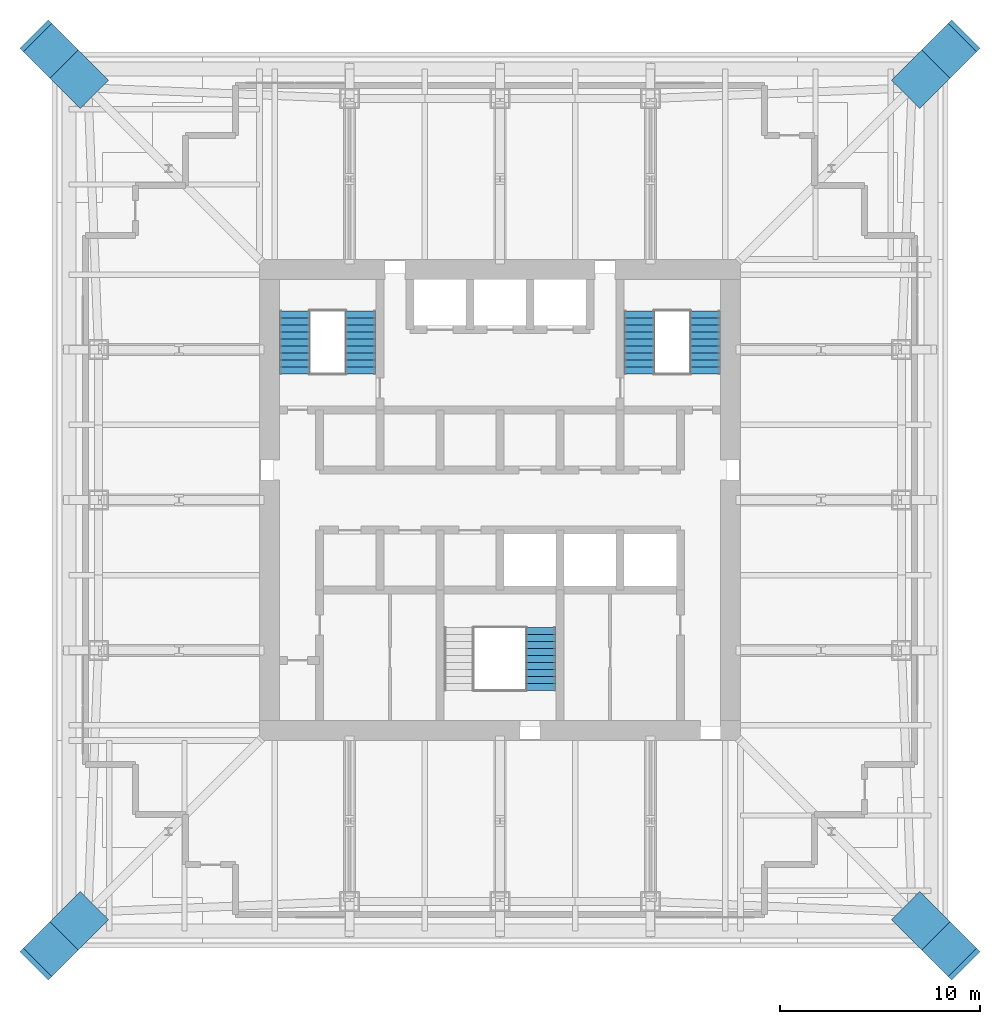
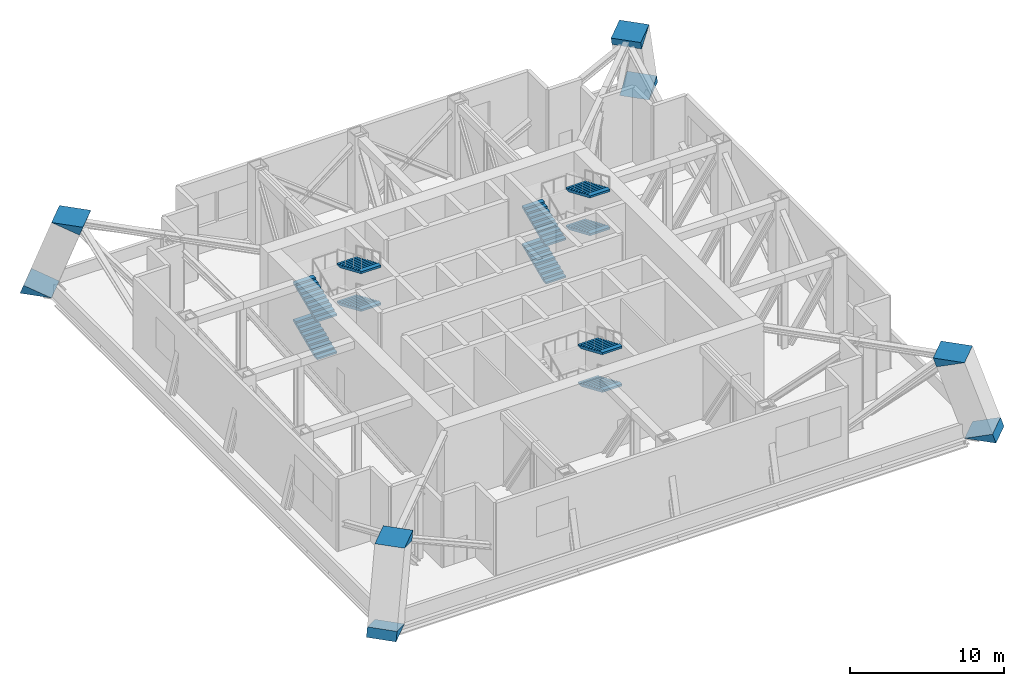
# One storey, part 7 of 9: 10 stair flights, 8 discrete accessories, 3 elements without a shape of their own.
"""IFC4 building model written with IfcOpenShell, lengths in metres."""

from ifc_helpers import new_model, si_unit, direction, frame, origin, place, context, subcontext, project, spatial, polyline, outline, extrude, material, layer, layer_set, type_object, element, aggregate, save


model = new_model("IFC4")

# Units and contexts
model_context = context("Model", 3, precision=1e-05, world=origin(), true_north=direction((0.0, 1.0)))
body_context = subcontext(model_context, "Body", "Model", "MODEL_VIEW")
ifc_project = project(units=[si_unit("LENGTHUNIT", "METRE"), si_unit("AREAUNIT", "SQUARE_METRE"), si_unit("VOLUMEUNIT", "CUBIC_METRE"), si_unit("PLANEANGLEUNIT", "RADIAN"), si_unit("MASSUNIT", "GRAM", prefix="KILO")], contexts=[model_context])

# Site, building, storey
site_placement = place(None, origin())
site = spatial("IfcSite", under=ifc_project, at=site_placement, CompositionType="ELEMENT")
building_placement = place(site_placement, origin())
building = spatial("IfcBuilding", under=site, at=building_placement, Name="Tarangal Relay Tower", CompositionType="ELEMENT")
storey_placement = place(building_placement, frame((0.0, 0.0, 253.89990234375)))
storey = spatial("IfcBuildingStorey", under=building, at=storey_placement, Name="L55", CompositionType="ELEMENT", Elevation=253.89990234375)

# Stair, stair flights
ifc_material_1 = material(Name="Steel ASTM A992 stair flight", Category="steel")
stair_type = type_object("IfcStairType", Name="Core stair 1500", PredefinedType="HALF_TURN_STAIR", material=ifc_material_1)
stair_1_placement = place(storey_placement, origin())
stair_1 = element("IfcStair", 1, at=stair_1_placement, inside=storey, type_object=stair_type, Name="Stair ST-A L55", PredefinedType="HALF_TURN_STAIR")
stair_flight_type = type_object("IfcStairFlightType", Name="Steel stair flight 1500, 10 risers 150 x 348", PredefinedType="STRAIGHT", material=ifc_material_1)
stair_flight_1_placement = place(storey_placement, frame((-10.25, 6.300048828125, 0.0), z_axis=(0.0, 0.0, 1.0), x_axis=(0.0, 1.0, 0.0)))
stair_flight_1 = element("IfcStairFlight", 2, at=stair_flight_1_placement, type_object=stair_flight_type, Name="ST-A flight 1", NumberOfRisers=10, NumberOfTreads=9, PredefinedType="STRAIGHT", RiserHeight=0.15, TreadLength=0.348, context=body_context, shape_type="SweptSolid", body=[
    extrude(outline(polyline([(0.0, 0.0), (0.0, 0.14990234375), (0.347900390625, 0.14990234375), (0.347900390625, 0.300048828125), (0.696044921875, 0.300048828125), (0.696044921875, 0.449951171875), (1.0439453125, 0.449951171875), (1.0439453125, 0.60009765625), (1.39208984375, 0.60009765625), (1.39208984375, 0.75), (1.739990234375, 0.75), (1.739990234375, 0.89990234375), (2.087890625, 0.89990234375), (2.087890625, 1.050048828125), (2.43603515625, 1.050048828125), (2.43603515625, 1.199951171875), (2.783935546875, 1.199951171875), (2.783935546875, 1.35009765625), (3.132080078125, 1.35009765625), (3.132080078125, 1.5), (3.132080078125, 1.186767578125), (0.378662109375, 0.0), (0.0, 0.0)])), frame((0.0, 0.75, 0.0), z_axis=(0.0, -1.0, 0.0), x_axis=(1.0, 0.0, 0.0)), (0.0, 0.0, 1.0), 1.5),
])
stair_flight_2_placement = place(storey_placement, frame((-6.949951171875, 9.431884765625, 1.5), z_axis=(0.0, 0.0, 1.0), x_axis=(0.0, -1.0, 0.0)))
stair_flight_2 = element("IfcStairFlight", 3, at=stair_flight_2_placement, type_object=stair_flight_type, Name="ST-A flight 2", NumberOfRisers=10, NumberOfTreads=9, PredefinedType="STRAIGHT", RiserHeight=0.15, TreadLength=0.348, context=body_context, shape_type="SweptSolid", body=[
    extrude(outline(polyline([(0.0, 0.0), (0.0, 0.14990234375), (0.347900390625, 0.14990234375), (0.347900390625, 0.300048828125), (0.696044921875, 0.300048828125), (0.696044921875, 0.449951171875), (1.0439453125, 0.449951171875), (1.0439453125, 0.60009765625), (1.39208984375, 0.60009765625), (1.39208984375, 0.75), (1.739990234375, 0.75), (1.739990234375, 0.89990234375), (2.087890625, 0.89990234375), (2.087890625, 1.050048828125), (2.43603515625, 1.050048828125), (2.43603515625, 1.199951171875), (2.783935546875, 1.199951171875), (2.783935546875, 1.35009765625), (3.132080078125, 1.35009765625), (3.132080078125, 1.5), (3.132080078125, 1.186767578125), (0.378662109375, 0.0), (0.0, 0.0)])), frame((0.0, 0.75, 0.0), z_axis=(0.0, -1.0, 0.0), x_axis=(1.0, 0.0, 0.0)), (0.0, 0.0, 1.0), 1.5),
])
stair_flight_3_placement = place(storey_placement, frame((-10.25, 6.300048828125, 3.0), z_axis=(0.0, 0.0, 1.0), x_axis=(0.0, 1.0, 0.0)))
stair_flight_3 = element("IfcStairFlight", 4, at=stair_flight_3_placement, type_object=stair_flight_type, Name="ST-A flight 3", NumberOfRisers=10, NumberOfTreads=9, PredefinedType="STRAIGHT", RiserHeight=0.15, TreadLength=0.348, context=body_context, shape_type="SweptSolid", body=[
    extrude(outline(polyline([(0.0, 0.0), (0.0, 0.14990234375), (0.347900390625, 0.14990234375), (0.347900390625, 0.300048828125), (0.696044921875, 0.300048828125), (0.696044921875, 0.449951171875), (1.0439453125, 0.449951171875), (1.0439453125, 0.60009765625), (1.39208984375, 0.60009765625), (1.39208984375, 0.75), (1.739990234375, 0.75), (1.739990234375, 0.89990234375), (2.087890625, 0.89990234375), (2.087890625, 1.050048828125), (2.43603515625, 1.050048828125), (2.43603515625, 1.199951171875), (2.783935546875, 1.199951171875), (2.783935546875, 1.35009765625), (3.132080078125, 1.35009765625), (3.132080078125, 1.5), (3.132080078125, 1.186767578125), (0.378662109375, 0.0), (0.0, 0.0)])), frame((0.0, 0.75, 0.0), z_axis=(0.0, -1.0, 0.0), x_axis=(1.0, 0.0, 0.0)), (0.0, 0.0, 1.0), 1.5),
])
stair_flight_4_placement = place(storey_placement, frame((-6.949951171875, 9.431884765625, 4.5), z_axis=(0.0, 0.0, 1.0), x_axis=(0.0, -1.0, 0.0)))
stair_flight_4 = element("IfcStairFlight", 5, at=stair_flight_4_placement, type_object=stair_flight_type, Name="ST-A flight 4", NumberOfRisers=10, NumberOfTreads=9, PredefinedType="STRAIGHT", RiserHeight=0.15, TreadLength=0.348, context=body_context, shape_type="SweptSolid", body=[
    extrude(outline(polyline([(0.0, 0.0), (0.0, 0.14990234375), (0.347900390625, 0.14990234375), (0.347900390625, 0.300048828125), (0.696044921875, 0.300048828125), (0.696044921875, 0.449951171875), (1.0439453125, 0.449951171875), (1.0439453125, 0.60009765625), (1.39208984375, 0.60009765625), (1.39208984375, 0.75), (1.739990234375, 0.75), (1.739990234375, 0.89990234375), (2.087890625, 0.89990234375), (2.087890625, 1.050048828125), (2.43603515625, 1.050048828125), (2.43603515625, 1.199951171875), (2.783935546875, 1.199951171875), (2.783935546875, 1.35009765625), (3.132080078125, 1.35009765625), (3.132080078125, 1.5), (3.132080078125, 1.186767578125), (0.378662109375, 0.0), (0.0, 0.0)])), frame((0.0, 0.75, 0.0), z_axis=(0.0, -1.0, 0.0), x_axis=(1.0, 0.0, 0.0)), (0.0, 0.0, 1.0), 1.5),
])
aggregate(stair_1, [stair_flight_1, stair_flight_2, stair_flight_3, stair_flight_4])

stair_2_placement = place(storey_placement, origin())
stair_2 = element("IfcStair", 6, at=stair_2_placement, inside=storey, type_object=stair_type, Name="Stair ST-B L55", PredefinedType="HALF_TURN_STAIR")
stair_flight_5_placement = place(storey_placement, frame((6.949951171875, 6.300048828125, 0.0), z_axis=(0.0, 0.0, 1.0), x_axis=(0.0, 1.0, 0.0)))
stair_flight_5 = element("IfcStairFlight", 7, at=stair_flight_5_placement, type_object=stair_flight_type, Name="ST-B flight 1", NumberOfRisers=10, NumberOfTreads=9, PredefinedType="STRAIGHT", RiserHeight=0.15, TreadLength=0.348, context=body_context, shape_type="SweptSolid", body=[
    extrude(outline(polyline([(0.0, 0.0), (0.0, 0.14990234375), (0.347900390625, 0.14990234375), (0.347900390625, 0.300048828125), (0.696044921875, 0.300048828125), (0.696044921875, 0.449951171875), (1.0439453125, 0.449951171875), (1.0439453125, 0.60009765625), (1.39208984375, 0.60009765625), (1.39208984375, 0.75), (1.739990234375, 0.75), (1.739990234375, 0.89990234375), (2.087890625, 0.89990234375), (2.087890625, 1.050048828125), (2.43603515625, 1.050048828125), (2.43603515625, 1.199951171875), (2.783935546875, 1.199951171875), (2.783935546875, 1.35009765625), (3.132080078125, 1.35009765625), (3.132080078125, 1.5), (3.132080078125, 1.186767578125), (0.378662109375, 0.0), (0.0, 0.0)])), frame((0.0, 0.75, 0.0), z_axis=(0.0, -1.0, 0.0), x_axis=(1.0, 0.0, 0.0)), (0.0, 0.0, 1.0), 1.5),
])
stair_flight_6_placement = place(storey_placement, frame((10.25, 9.431884765625, 1.5), z_axis=(0.0, 0.0, 1.0), x_axis=(0.0, -1.0, 0.0)))
stair_flight_6 = element("IfcStairFlight", 8, at=stair_flight_6_placement, type_object=stair_flight_type, Name="ST-B flight 2", NumberOfRisers=10, NumberOfTreads=9, PredefinedType="STRAIGHT", RiserHeight=0.15, TreadLength=0.348, context=body_context, shape_type="SweptSolid", body=[
    extrude(outline(polyline([(0.0, 0.0), (0.0, 0.14990234375), (0.347900390625, 0.14990234375), (0.347900390625, 0.300048828125), (0.696044921875, 0.300048828125), (0.696044921875, 0.449951171875), (1.0439453125, 0.449951171875), (1.0439453125, 0.60009765625), (1.39208984375, 0.60009765625), (1.39208984375, 0.75), (1.739990234375, 0.75), (1.739990234375, 0.89990234375), (2.087890625, 0.89990234375), (2.087890625, 1.050048828125), (2.43603515625, 1.050048828125), (2.43603515625, 1.199951171875), (2.783935546875, 1.199951171875), (2.783935546875, 1.35009765625), (3.132080078125, 1.35009765625), (3.132080078125, 1.5), (3.132080078125, 1.186767578125), (0.378662109375, 0.0), (0.0, 0.0)])), frame((0.0, 0.75, 0.0), z_axis=(0.0, -1.0, 0.0), x_axis=(1.0, 0.0, 0.0)), (0.0, 0.0, 1.0), 1.5),
])
stair_flight_7_placement = place(storey_placement, frame((6.949951171875, 6.300048828125, 3.0), z_axis=(0.0, 0.0, 1.0), x_axis=(0.0, 1.0, 0.0)))
stair_flight_7 = element("IfcStairFlight", 9, at=stair_flight_7_placement, type_object=stair_flight_type, Name="ST-B flight 3", NumberOfRisers=10, NumberOfTreads=9, PredefinedType="STRAIGHT", RiserHeight=0.15, TreadLength=0.348, context=body_context, shape_type="SweptSolid", body=[
    extrude(outline(polyline([(0.0, 0.0), (0.0, 0.14990234375), (0.347900390625, 0.14990234375), (0.347900390625, 0.300048828125), (0.696044921875, 0.300048828125), (0.696044921875, 0.449951171875), (1.0439453125, 0.449951171875), (1.0439453125, 0.60009765625), (1.39208984375, 0.60009765625), (1.39208984375, 0.75), (1.739990234375, 0.75), (1.739990234375, 0.89990234375), (2.087890625, 0.89990234375), (2.087890625, 1.050048828125), (2.43603515625, 1.050048828125), (2.43603515625, 1.199951171875), (2.783935546875, 1.199951171875), (2.783935546875, 1.35009765625), (3.132080078125, 1.35009765625), (3.132080078125, 1.5), (3.132080078125, 1.186767578125), (0.378662109375, 0.0), (0.0, 0.0)])), frame((0.0, 0.75, 0.0), z_axis=(0.0, -1.0, 0.0), x_axis=(1.0, 0.0, 0.0)), (0.0, 0.0, 1.0), 1.5),
])
stair_flight_8_placement = place(storey_placement, frame((10.25, 9.431884765625, 4.5), z_axis=(0.0, 0.0, 1.0), x_axis=(0.0, -1.0, 0.0)))
stair_flight_8 = element("IfcStairFlight", 10, at=stair_flight_8_placement, type_object=stair_flight_type, Name="ST-B flight 4", NumberOfRisers=10, NumberOfTreads=9, PredefinedType="STRAIGHT", RiserHeight=0.15, TreadLength=0.348, context=body_context, shape_type="SweptSolid", body=[
    extrude(outline(polyline([(0.0, 0.0), (0.0, 0.14990234375), (0.347900390625, 0.14990234375), (0.347900390625, 0.300048828125), (0.696044921875, 0.300048828125), (0.696044921875, 0.449951171875), (1.0439453125, 0.449951171875), (1.0439453125, 0.60009765625), (1.39208984375, 0.60009765625), (1.39208984375, 0.75), (1.739990234375, 0.75), (1.739990234375, 0.89990234375), (2.087890625, 0.89990234375), (2.087890625, 1.050048828125), (2.43603515625, 1.050048828125), (2.43603515625, 1.199951171875), (2.783935546875, 1.199951171875), (2.783935546875, 1.35009765625), (3.132080078125, 1.35009765625), (3.132080078125, 1.5), (3.132080078125, 1.186767578125), (0.378662109375, 0.0), (0.0, 0.0)])), frame((0.0, 0.75, 0.0), z_axis=(0.0, -1.0, 0.0), x_axis=(1.0, 0.0, 0.0)), (0.0, 0.0, 1.0), 1.5),
])
aggregate(stair_2, [stair_flight_5, stair_flight_6, stair_flight_7, stair_flight_8])

stair_3_placement = place(storey_placement, origin())
stair_3 = element("IfcStair", 11, at=stair_3_placement, inside=storey, type_object=stair_type, Name="Stair ST-C L55", PredefinedType="HALF_TURN_STAIR")
stair_flight_9_placement = place(storey_placement, frame((2.050048828125, -6.367919921875, 1.5), z_axis=(0.0, 0.0, 1.0), x_axis=(0.0, -1.0, 0.0)))
stair_flight_9 = element("IfcStairFlight", 12, at=stair_flight_9_placement, type_object=stair_flight_type, Name="ST-C flight 2", NumberOfRisers=10, NumberOfTreads=9, PredefinedType="STRAIGHT", RiserHeight=0.15, TreadLength=0.348, context=body_context, shape_type="SweptSolid", body=[
    extrude(outline(polyline([(0.0, 0.0), (0.0, 0.14990234375), (0.347900390625, 0.14990234375), (0.347900390625, 0.300048828125), (0.696044921875, 0.300048828125), (0.696044921875, 0.449951171875), (1.0439453125, 0.449951171875), (1.0439453125, 0.60009765625), (1.39208984375, 0.60009765625), (1.39208984375, 0.75), (1.739990234375, 0.75), (1.739990234375, 0.89990234375), (2.087890625, 0.89990234375), (2.087890625, 1.050048828125), (2.43603515625, 1.050048828125), (2.43603515625, 1.199951171875), (2.783935546875, 1.199951171875), (2.783935546875, 1.35009765625), (3.132080078125, 1.35009765625), (3.132080078125, 1.5), (3.132080078125, 1.186767578125), (0.378662109375, 0.0), (0.0, 0.0)])), frame((0.0, 0.75, 0.0), z_axis=(0.0, -1.0, 0.0), x_axis=(1.0, 0.0, 0.0)), (0.0, 0.0, 1.0), 1.5),
])
stair_flight_10_placement = place(storey_placement, frame((2.050048828125, -6.367919921875, 4.5), z_axis=(0.0, 0.0, 1.0), x_axis=(0.0, -1.0, 0.0)))
stair_flight_10 = element("IfcStairFlight", 13, at=stair_flight_10_placement, type_object=stair_flight_type, Name="ST-C flight 4", NumberOfRisers=10, NumberOfTreads=9, PredefinedType="STRAIGHT", RiserHeight=0.15, TreadLength=0.348, context=body_context, shape_type="SweptSolid", body=[
    extrude(outline(polyline([(0.0, 0.0), (0.0, 0.14990234375), (0.347900390625, 0.14990234375), (0.347900390625, 0.300048828125), (0.696044921875, 0.300048828125), (0.696044921875, 0.449951171875), (1.0439453125, 0.449951171875), (1.0439453125, 0.60009765625), (1.39208984375, 0.60009765625), (1.39208984375, 0.75), (1.739990234375, 0.75), (1.739990234375, 0.89990234375), (2.087890625, 0.89990234375), (2.087890625, 1.050048828125), (2.43603515625, 1.050048828125), (2.43603515625, 1.199951171875), (2.783935546875, 1.199951171875), (2.783935546875, 1.35009765625), (3.132080078125, 1.35009765625), (3.132080078125, 1.5), (3.132080078125, 1.186767578125), (0.378662109375, 0.0), (0.0, 0.0)])), frame((0.0, 0.75, 0.0), z_axis=(0.0, -1.0, 0.0), x_axis=(1.0, 0.0, 0.0)), (0.0, 0.0, 1.0), 1.5),
])
aggregate(stair_3, [stair_flight_9, stair_flight_10])

# Discrete accessories
ifc_material_2 = material(Name="Steel ASTM A572 Grade 50", Category="steel")
ifc_layer = layer(ifc_material_2, 2.0)
ifc_layer_set = layer_set([ifc_layer], Name="Mega column node 2000")
discrete_accessory_type = type_object("IfcDiscreteAccessoryType", Name="Mega column node 2000", PredefinedType="USERDEFINED", material=ifc_layer_set)
discrete_accessory_1_placement = place(storey_placement, frame((22.45703125, 21.042724609375, 0.00048828125), z_axis=(0.70716409166, -0.707048665848, 0.001063761926), x_axis=(0.666354659565, 0.666964986236, 0.333360427784)))
element("IfcDiscreteAccessory", 14, at=discrete_accessory_1_placement, inside=storey, type_object=discrete_accessory_type, Name="Mega column node MN3 NE L55 foot", ObjectType="Mega column node", PredefinedType="USERDEFINED", context=body_context, shape_type="SweptSolid", body=[
    extrude(outline(polyline([(0.0, 0.0), (2.000081567293069, 0.0), (1.9999795283027362, -0.7076825603815526), (0.0, 0.0)])), origin(), (0.0, 0.0, -1.0), 2.0),
])
discrete_accessory_2_placement = place(storey_placement, frame((22.456787109375, 21.04345703125, 5.99951171875), z_axis=(0.707049044655, -0.707163796581, 0.001006606924), x_axis=(-0.666503881421, -0.666870092345, -0.33325194071)))
element("IfcDiscreteAccessory", 15, at=discrete_accessory_2_placement, inside=storey, type_object=discrete_accessory_type, Name="Mega column node MN3 NE L55 head", ObjectType="Mega column node", PredefinedType="USERDEFINED", context=body_context, shape_type="SweptSolid", body=[
    extrude(outline(polyline([(0.0, 0.0), (2.0000000745058046, 0.0), (2.0000609606481747, -0.70745238255965), (0.0, 0.0)])), origin(), (0.0, 0.0, -1.0), 2.0),
])
discrete_accessory_3_placement = place(storey_placement, frame((21.042724609375, -22.45703125, 0.00048828125), z_axis=(-0.707048665848, -0.70716409166, 0.001063761926), x_axis=(0.666964986236, -0.666354659565, 0.333360427784)))
element("IfcDiscreteAccessory", 16, at=discrete_accessory_3_placement, inside=storey, type_object=discrete_accessory_type, Name="Mega column node MN3 SE L55 foot", ObjectType="Mega column node", PredefinedType="USERDEFINED", context=body_context, shape_type="SweptSolid", body=[
    extrude(outline(polyline([(0.0, 0.0), (2.000081567293069, 0.0), (1.9999795283027362, -0.7076825603815526), (0.0, 0.0)])), origin(), (0.0, 0.0, -1.0), 2.0),
])
discrete_accessory_4_placement = place(storey_placement, frame((21.04345703125, -22.456787109375, 5.99951171875), z_axis=(-0.707163796581, -0.707049044655, 0.001006606924), x_axis=(-0.666870092345, 0.666503881421, -0.33325194071)))
element("IfcDiscreteAccessory", 17, at=discrete_accessory_4_placement, inside=storey, type_object=discrete_accessory_type, Name="Mega column node MN3 SE L55 head", ObjectType="Mega column node", PredefinedType="USERDEFINED", context=body_context, shape_type="SweptSolid", body=[
    extrude(outline(polyline([(0.0, 0.0), (2.0000000745058046, 0.0), (2.0000609606481747, -0.70745238255965), (0.0, 0.0)])), origin(), (0.0, 0.0, -1.0), 2.0),
])
discrete_accessory_5_placement = place(storey_placement, frame((-22.45703125, -21.042724609375, 0.00048828125), z_axis=(-0.70716409166, 0.707048665848, 0.001063761926), x_axis=(-0.666354659565, -0.666964986236, 0.333360427784)))
element("IfcDiscreteAccessory", 18, at=discrete_accessory_5_placement, inside=storey, type_object=discrete_accessory_type, Name="Mega column node MN3 SW L55 foot", ObjectType="Mega column node", PredefinedType="USERDEFINED", context=body_context, shape_type="SweptSolid", body=[
    extrude(outline(polyline([(0.0, 0.0), (2.000081567293069, 0.0), (1.9999795283027362, -0.7076825603815526), (0.0, 0.0)])), origin(), (0.0, 0.0, -1.0), 2.0),
])
discrete_accessory_6_placement = place(storey_placement, frame((-22.456787109375, -21.04345703125, 5.99951171875), z_axis=(-0.707049044655, 0.707163796581, 0.001006606924), x_axis=(0.666503881421, 0.666870092345, -0.33325194071)))
element("IfcDiscreteAccessory", 19, at=discrete_accessory_6_placement, inside=storey, type_object=discrete_accessory_type, Name="Mega column node MN3 SW L55 head", ObjectType="Mega column node", PredefinedType="USERDEFINED", context=body_context, shape_type="SweptSolid", body=[
    extrude(outline(polyline([(0.0, 0.0), (2.0000000745058046, 0.0), (2.0000609606481747, -0.70745238255965), (0.0, 0.0)])), origin(), (0.0, 0.0, -1.0), 2.0),
])
discrete_accessory_7_placement = place(storey_placement, frame((-21.042724609375, 22.45703125, 0.00048828125), z_axis=(0.707048665848, 0.70716409166, 0.001063761926), x_axis=(-0.666964986236, 0.666354659565, 0.333360427784)))
element("IfcDiscreteAccessory", 20, at=discrete_accessory_7_placement, inside=storey, type_object=discrete_accessory_type, Name="Mega column node MN3 NW L55 foot", ObjectType="Mega column node", PredefinedType="USERDEFINED", context=body_context, shape_type="SweptSolid", body=[
    extrude(outline(polyline([(0.0, 0.0), (2.000081567293069, 0.0), (1.9999795283027362, -0.7076825603815526), (0.0, 0.0)])), origin(), (0.0, 0.0, -1.0), 2.0),
])
discrete_accessory_8_placement = place(storey_placement, frame((-21.04345703125, 22.456787109375, 5.99951171875), z_axis=(0.707163796581, 0.707049044655, 0.001006606924), x_axis=(0.666870092345, -0.666503881421, -0.33325194071)))
element("IfcDiscreteAccessory", 21, at=discrete_accessory_8_placement, inside=storey, type_object=discrete_accessory_type, Name="Mega column node MN3 NW L55 head", ObjectType="Mega column node", PredefinedType="USERDEFINED", context=body_context, shape_type="SweptSolid", body=[
    extrude(outline(polyline([(0.0, 0.0), (2.0000000745058046, 0.0), (2.0000609606481747, -0.70745238255965), (0.0, 0.0)])), origin(), (0.0, 0.0, -1.0), 2.0),
])

save(model, "model.ifc")
